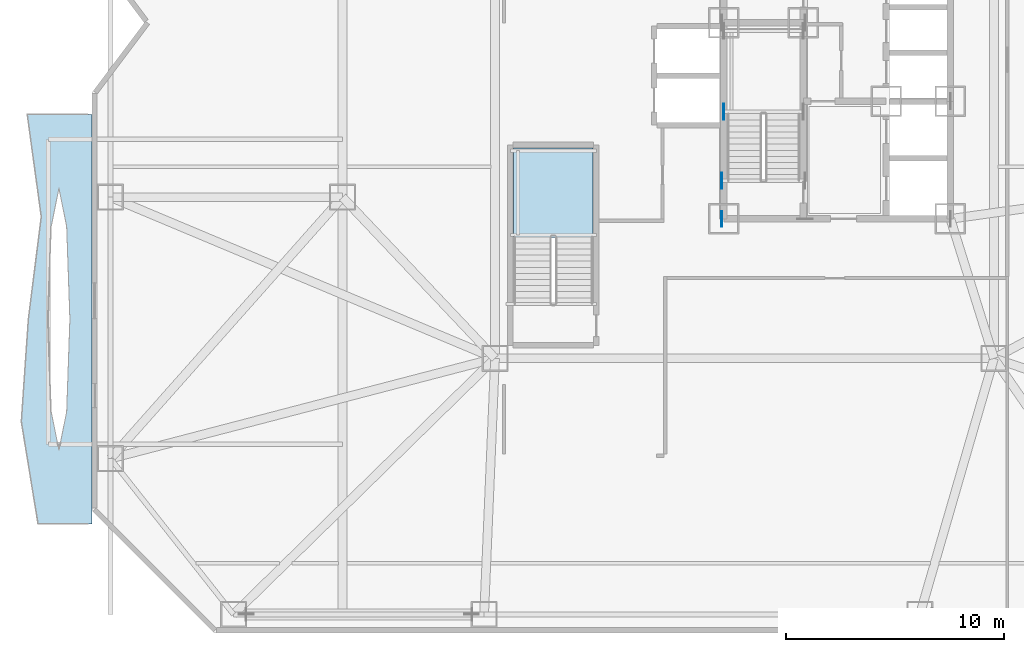
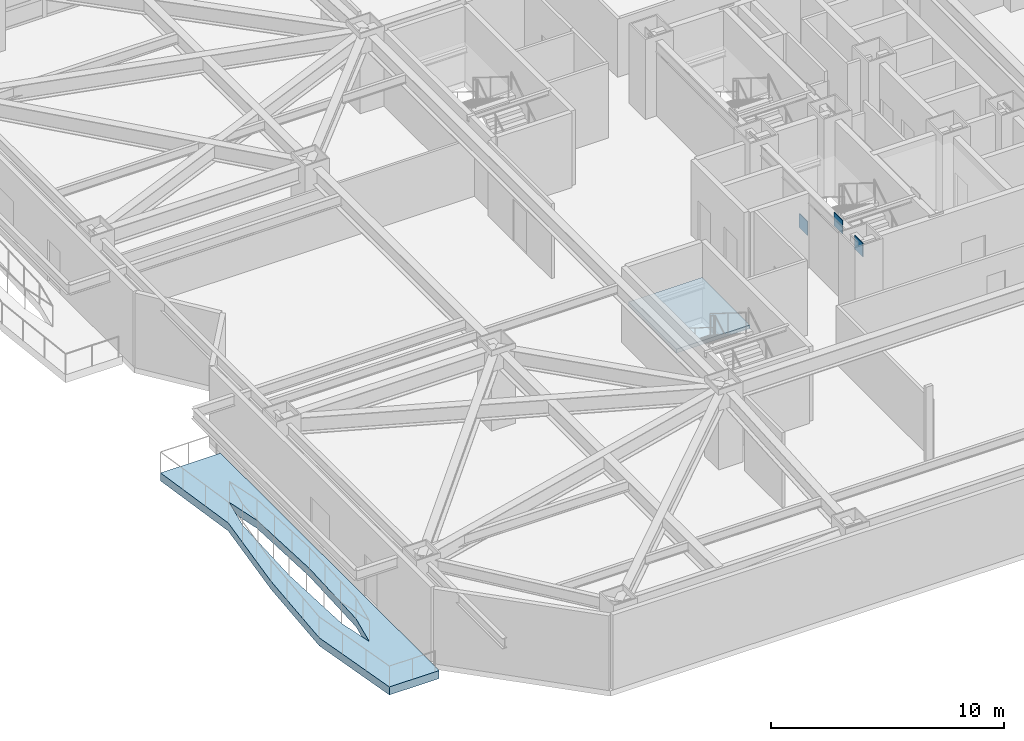
# One storey, part 9 of 24: 3 plates, 2 slabs, 1 element without a shape of its own.
"""IFC4 building model written with IfcOpenShell, lengths in metres."""

from ifc_helpers import new_model, si_unit, direction, frame, origin, origin_2d, place, context, subcontext, project, spatial, polyline, rectangle, outline, extrude, material, layer, layer_set, type_object, element, aggregate, save


model = new_model("IFC4")

# Units and contexts
model_context = context("Model", 3, precision=1e-05, world=origin(), true_north=direction((0.0, 1.0)))
body_context = subcontext(model_context, "Body", "Model", "MODEL_VIEW")
ifc_project = project(units=[si_unit("LENGTHUNIT", "METRE"), si_unit("AREAUNIT", "SQUARE_METRE"), si_unit("VOLUMEUNIT", "CUBIC_METRE"), si_unit("PLANEANGLEUNIT", "RADIAN"), si_unit("MASSUNIT", "GRAM", prefix="KILO")], contexts=[model_context])

# Site, building, storey
site_placement = place(None, origin())
site = spatial("IfcSite", under=ifc_project, at=site_placement, CompositionType="ELEMENT")
building_placement = place(site_placement, origin())
building = spatial("IfcBuilding", under=site, at=building_placement, Name="Khamvora Tower", CompositionType="ELEMENT")
storey_placement = place(building_placement, frame((0.0, 0.0, 20.39990234375)))
storey = spatial("IfcBuildingStorey", under=building, at=storey_placement, Name="L04", CompositionType="ELEMENT", Elevation=20.39990234375)

# Plates
ifc_material_1 = material(Name="Steel S460", Category="steel")
ifc_layer_1 = layer(ifc_material_1, 0.034912109375)
ifc_layer_set_1 = layer_set([ifc_layer_1], Name="Steel S460")
plate_type = type_object("IfcPlateType", Name="PL-EMB-35", PredefinedType="SHEET", material=ifc_layer_set_1)
for number, where, z_axis, x_axis, name in (
    (1, (29.0, 23.9150390625, 1.4091796875), (0.0, 0.0, 1.0), (1.0, 0.0, 0.0), "L04 core shear wall cast-in embed plate 0151"),
    (2, (28.89990234375, 19.0, 3.29296875), (0.0, 0.0, 1.0), (1.0, 0.0, 0.0), "L04 core shear wall cast-in embed plate 0162"),
    (3, (28.89990234375, 20.75, 3.43408203125), (0.0, 0.0, 1.0), (1.0, 0.0, 0.0), "L04 core shear wall cast-in embed plate 0171"),
):
    element("IfcPlate", number, at=place(storey_placement, frame(where, z_axis=z_axis, x_axis=x_axis)), inside=storey, type_object=plate_type, Name=name, PredefinedType="SHEET", context=body_context, shape_type="SweptSolid", body=[
        extrude(rectangle(XDim=0.034912109375, YDim=0.719970703125, at=origin_2d()), origin(), (0.0, 0.0, 1.0), 0.719970703125),
    ])

# Slab
ifc_material_2 = material(Name="Concrete C40/50", Category="concrete")
ifc_layer_2 = layer(ifc_material_2, 0.419921875)
ifc_layer_set_2 = layer_set([ifc_layer_2], Name="Concrete C40/50")
slab_type_1 = type_object("IfcSlabType", Name="SLB-GRD-420", PredefinedType="FLOOR", material=ifc_layer_set_2)
slab_1_placement = place(storey_placement, frame((0.0, 0.0, -0.419921875)))
element("IfcSlab", 4, at=slab_1_placement, inside=storey, type_object=slab_type_1, Name="L04 external lens gallery slab WL1", PredefinedType="FLOOR", context=body_context, shape_type="SweptSolid", body=[
    extrude(outline(polyline([(0.0, 5.0), (0.0, 23.800048828125), (-2.969970703125, 23.800048828125), (-2.325927734375, 19.10009765625), (-2.9189453125, 14.39990234375), (-3.240966796875, 9.699951171875), (-2.472900390625, 5.0), (0.0, 5.0)]), holes=[polyline([(-1.010986328125, 14.39990234375), (-1.158935546875, 18.654052734375), (-1.514892578125, 20.416015625), (-1.87109375, 18.654052734375), (-2.01904296875, 14.39990234375), (-1.87109375, 10.14599609375), (-1.514892578125, 8.384033203125), (-1.158935546875, 10.14599609375), (-1.010986328125, 14.39990234375)])]), origin(), (0.0, 0.0, 1.0), 0.419921875),
])

# Stair, slab
stair_type = type_object("IfcStairType", Name="STR-ST-03", PredefinedType="HALF_TURN_STAIR", material=ifc_material_2)
stair_placement = place(storey_placement, origin())
stair = element("IfcStair", 5, at=stair_placement, inside=storey, type_object=stair_type, Name="L04 South School Podium Stair ST-03", PredefinedType="HALF_TURN_STAIR")
ifc_layer_3 = layer(ifc_material_2, 0.199951171875)
ifc_layer_set_3 = layer_set([ifc_layer_3], Name="Concrete C40/50")
slab_type_2 = type_object("IfcSlabType", Name="SLB-LND-200", PredefinedType="LANDING", material=ifc_layer_set_3)
slab_2_placement = place(storey_placement, frame((0.0, 0.0, 1.900146484375)))
slab_2 = element("IfcSlab", 6, at=slab_2_placement, type_object=slab_type_2, Name="ST-03 landing 1", PredefinedType="LANDING", context=body_context, shape_type="SweptSolid", body=[
    extrude(outline(polyline([(23.0, 18.14501953125), (23.0, 22.25), (19.35009765625, 22.25), (19.35009765625, 18.14501953125), (23.0, 18.14501953125)])), origin(), (0.0, 0.0, 1.0), 0.199951171875),
])
aggregate(stair, [slab_2])

save(model, "model.ifc")
